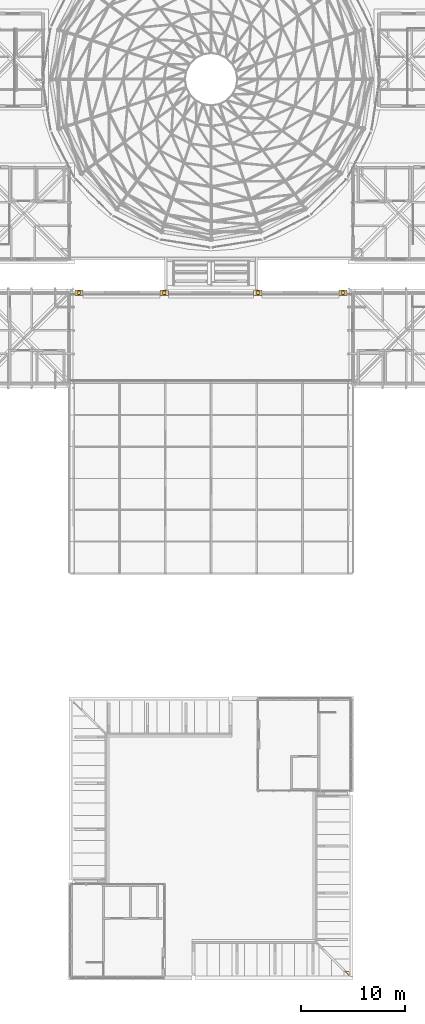
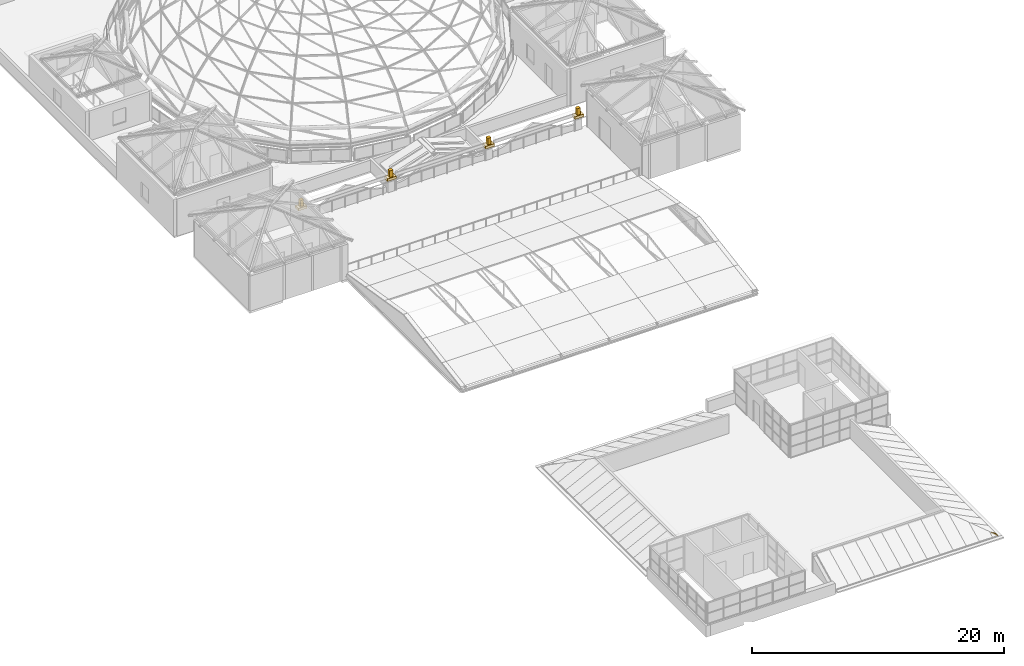
# One storey, part 69 of 69: 9 coverings.
"""IFC4 building model written with IfcOpenShell, lengths in metres."""

from ifc_helpers import new_model, si_unit, direction, frame, origin, origin_2d, place, context, subcontext, project, spatial, polyline, rectangle, outline, extrude, material, layer, layer_set, type_object, element, save


model = new_model("IFC4")

# Units and contexts
model_context = context("Model", 3, precision=1e-05, world=origin(), true_north=direction((0.0, 1.0)))
body_context = subcontext(model_context, "Body", "Model", "MODEL_VIEW")
ifc_project = project(units=[si_unit("LENGTHUNIT", "METRE"), si_unit("AREAUNIT", "SQUARE_METRE"), si_unit("VOLUMEUNIT", "CUBIC_METRE"), si_unit("PLANEANGLEUNIT", "RADIAN"), si_unit("MASSUNIT", "GRAM", prefix="KILO")], contexts=[model_context])

# Site, building, storey
site_placement = place(None, origin())
site = spatial("IfcSite", under=ifc_project, at=site_placement, CompositionType="ELEMENT")
building_placement = place(site_placement, origin())
building = spatial("IfcBuilding", under=site, at=building_placement, Name="Kallimachos Central Library", CompositionType="ELEMENT")
storey_placement = place(building_placement, frame((0.0, 0.0, 23.39990234375)))
storey = spatial("IfcBuildingStorey", under=building, at=storey_placement, Name="L05", CompositionType="ELEMENT", Elevation=23.39990234375)

# Coverings
ifc_material_1 = material(Name="Glazed ceramic roof tile, ochre")
ifc_layer_1 = layer(ifc_material_1, 0.050048828125)
ifc_layer_set_1 = layer_set([ifc_layer_1], Name="Glazed ceramic roof tile, ochre")
covering_type_1 = type_object("IfcCoveringType", Name="Glazed ceramic roof tile, ochre", PredefinedType="ROOFING", material=ifc_layer_set_1)
covering_placement = place(storey_placement, frame((101.300048828125, 18.199951171875, 0.2001953125), z_axis=(0.446995269471, 0.0, 0.894536320711), x_axis=(-0.666711852149, 0.666711852149, 0.333152536248)))
element("IfcCovering", 1, at=covering_placement, inside=storey, type_object=covering_type_1, Name="Roof tile band East", PredefinedType="ROOFING", context=body_context, shape_type="SweptSolid", body=[
    extrude(outline(polyline([(0.0, 0.0), (0.6001790474929378, -6.938893903907228e-18), (0.26678240372854106, -0.29823540705035995), (0.0, 0.0)])), origin(), (0.0, 0.0, -1.0), 0.050048828125),
])
ifc_material_2 = material(Name="Pentelic marble pinnacle cap", Category="masonry")
ifc_layer_2 = layer(ifc_material_2, 0.800048828125)
ifc_layer_set_2 = layer_set([ifc_layer_2], Name="Stone pinnacle cap 800")
covering_type_2 = type_object("IfcCoveringType", Name="Stone pinnacle cap 800", PredefinedType="MOLDING", material=ifc_layer_set_2)
for number, where, z_axis, x_axis, name in (
    (2, (75.31005859375, 83.8701171875, 1.1943359375), (0.0, 0.0, 1.0), (1.0, 0.0, 0.0), "North row roof edge pinnacle 1 cap"),
    (3, (83.5, 83.8701171875, 1.1943359375), (0.0, 0.0, 1.0), (1.0, 0.0, 0.0), "North row roof edge pinnacle 2 cap"),
    (4, (92.5, 83.8701171875, 1.1943359375), (0.0, 0.0, 1.0), (1.0, 0.0, 0.0), "North row roof edge pinnacle 3 cap"),
    (5, (100.68994140625, 83.8701171875, 1.1943359375), (0.0, 0.0, 1.0), (1.0, 0.0, 0.0), "North row roof edge pinnacle 4 cap"),
):
    element("IfcCovering", number, at=place(storey_placement, frame(where, z_axis=z_axis, x_axis=x_axis)), inside=storey, type_object=covering_type_2, Name=name, PredefinedType="MOLDING", context=body_context, shape_type="SweptSolid", body=[
        extrude(rectangle(XDim=0.800048828125, YDim=0.5, at=origin_2d()), origin(), (0.0, 0.0, 1.0), 0.25),
    ])
ifc_material_3 = material(Name="Pentelic marble finial", Category="masonry")
ifc_layer_3 = layer(ifc_material_3, 0.300048828125)
ifc_layer_set_3 = layer_set([ifc_layer_3], Name="Stone pinnacle finial 300")
covering_type_3 = type_object("IfcCoveringType", Name="Stone pinnacle finial 300", PredefinedType="MOLDING", material=ifc_layer_set_3)
for number, where, z_axis, x_axis, name in (
    (6, (75.31005859375, 83.8701171875, 1.4443359375), (0.0, 0.0, 1.0), (1.0, 0.0, 0.0), "North row roof edge pinnacle 1 finial"),
    (7, (83.5, 83.8701171875, 1.4443359375), (0.0, 0.0, 1.0), (1.0, 0.0, 0.0), "North row roof edge pinnacle 2 finial"),
    (8, (92.5, 83.8701171875, 1.4443359375), (0.0, 0.0, 1.0), (1.0, 0.0, 0.0), "North row roof edge pinnacle 3 finial"),
    (9, (100.68994140625, 83.8701171875, 1.4443359375), (0.0, 0.0, 1.0), (1.0, 0.0, 0.0), "North row roof edge pinnacle 4 finial"),
):
    element("IfcCovering", number, at=place(storey_placement, frame(where, z_axis=z_axis, x_axis=x_axis)), inside=storey, type_object=covering_type_3, Name=name, PredefinedType="MOLDING", context=body_context, shape_type="SweptSolid", body=[
        extrude(rectangle(XDim=0.300048828125, YDim=0.300048828125, at=origin_2d()), origin(), (0.0, 0.0, 1.0), 0.628662109375),
    ])

save(model, "model.ifc")
